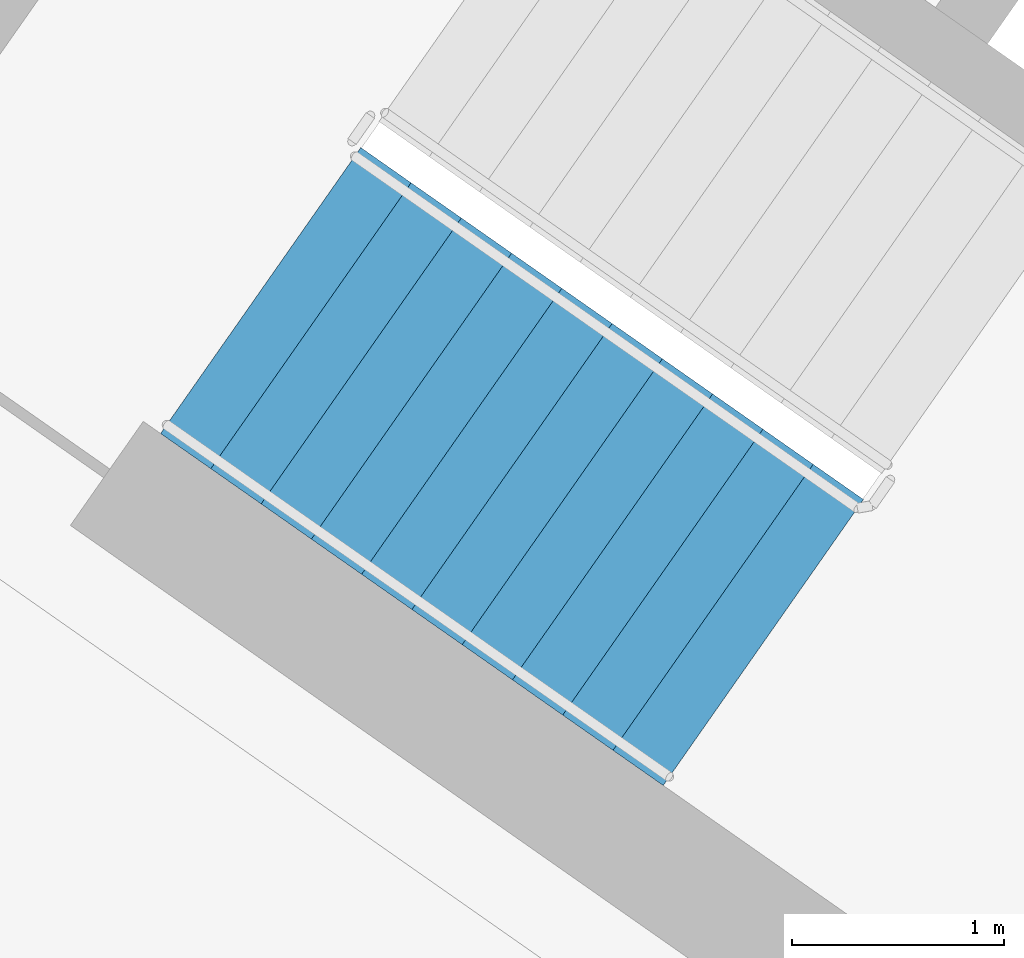
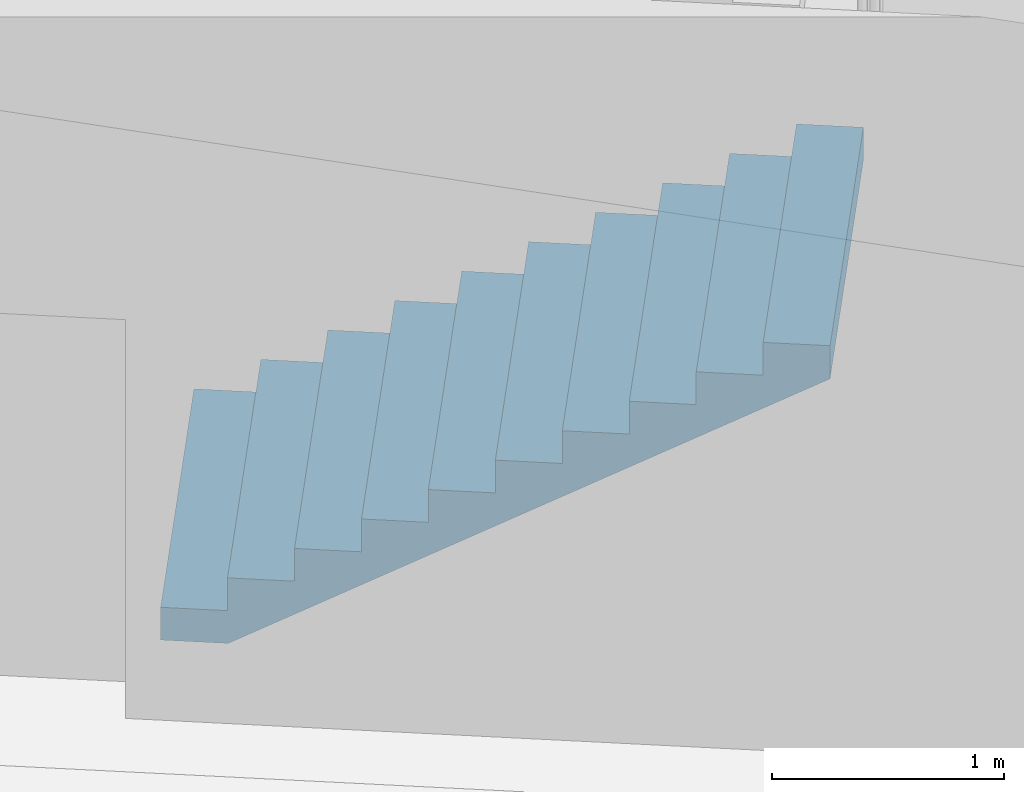
# One storey, part 9 of 27: 1 stair flight, 1 element without a shape of its own.
"""IFC4 building model written with IfcOpenShell, lengths in metres."""

from ifc_helpers import new_model, si_unit, direction, frame, origin, place, context, subcontext, project, spatial, faceted_brep, material, type_object, element, aggregate, save


model = new_model("IFC4")

# Units and contexts
model_context = context("Model", 3, precision=1e-05, world=origin(), true_north=direction((0.0, 1.0)))
body_context = subcontext(model_context, "Body", "Model", "MODEL_VIEW")
ifc_project = project(units=[si_unit("LENGTHUNIT", "METRE"), si_unit("AREAUNIT", "SQUARE_METRE"), si_unit("VOLUMEUNIT", "CUBIC_METRE"), si_unit("PLANEANGLEUNIT", "RADIAN"), si_unit("MASSUNIT", "GRAM", prefix="KILO")], contexts=[model_context])

# Site, building, storey
site_placement = place(None, origin())
site = spatial("IfcSite", under=ifc_project, at=site_placement, CompositionType="ELEMENT")
building_placement = place(site_placement, origin())
building = spatial("IfcBuilding", under=site, at=building_placement, Name="Qamariyya Broadcast Tower", CompositionType="ELEMENT")
storey_placement = place(building_placement, frame((0.0, 0.0, 164.5)))
storey = spatial("IfcBuildingStorey", under=building, at=storey_placement, Name="L38", CompositionType="ELEMENT", Elevation=164.5)

# Stair, stair flight
ifc_material = material(Name="Concrete C50/60", Category="concrete")
stair_type = type_object("IfcStairType", Name="Exit stair 22 risers of 173 mm", PredefinedType="HALF_TURN_STAIR", material=ifc_material)
stair_placement = place(storey_placement, origin())
stair = element("IfcStair", 1, at=stair_placement, inside=storey, type_object=stair_type, Name="L38 Stair W1", PredefinedType="HALF_TURN_STAIR")
stair_flight_type = type_object("IfcStairFlightType", Name="Exit stair flight 11 risers of 173 mm", PredefinedType="STRAIGHT", material=ifc_material)
stair_flight_placement = place(storey_placement, frame((-47.06884765625, -56.982666015625, 0.0), z_axis=(0.0, 0.0, 1.0), x_axis=(0.819152044289, -0.573576436351, 0.0)))
stair_flight = element("IfcStairFlight", 2, at=stair_flight_placement, type_object=stair_flight_type, Name="ST-W1 flight 1", NumberOfRisers=11, NumberOfTreads=10, PredefinedType="STRAIGHT", RiserHeight=0.172727273, TreadLength=0.29, context=body_context, shape_type="Brep", body=[
    faceted_brep([(0.0, 0.824951171875, 0.0), (0.0, 0.824951171875, 0.172607421875), (0.2900390625, 0.824951171875, 0.172607421875), (0.2900390625, 0.824951171875, 0.345458984375), (0.580078125, 0.824951171875, 0.345458984375), (0.580078125, 0.824951171875, 0.51806640625), (0.8701171875, 0.824951171875, 0.51806640625), (0.8701171875, 0.824951171875, 0.69091796875), (1.159912109375, 0.824951171875, 0.69091796875), (1.159912109375, 0.824951171875, 0.863525390625), (1.449951171875, 0.824951171875, 0.863525390625), (1.449951171875, 0.824951171875, 1.036376953125), (1.739990234375, 0.824951171875, 1.036376953125), (1.739990234375, 0.824951171875, 1.208984375), (2.030029296875, 0.824951171875, 1.208984375), (2.030029296875, 0.824951171875, 1.3818359375), (2.320068359375, 0.824951171875, 1.3818359375), (2.320068359375, 0.824951171875, 1.554443359375), (2.610107421875, 0.824951171875, 1.554443359375), (2.610107421875, 0.824951171875, 1.727294921875), (2.89990234375, 0.824951171875, 1.727294921875), (2.89990234375, 0.824951171875, 1.552734375), (0.29296875, 0.824951171875, 0.0), (0.29296875, -0.824951171875, 0.0), (2.89990234375, -0.824951171875, 1.552734375), (2.89990234375, -0.824951171875, 1.727294921875), (2.610107421875, -0.824951171875, 1.727294921875), (2.610107421875, -0.824951171875, 1.554443359375), (2.320068359375, -0.824951171875, 1.554443359375), (2.320068359375, -0.824951171875, 1.3818359375), (2.030029296875, -0.824951171875, 1.3818359375), (2.030029296875, -0.824951171875, 1.208984375), (1.739990234375, -0.824951171875, 1.208984375), (1.739990234375, -0.824951171875, 1.036376953125), (1.449951171875, -0.824951171875, 1.036376953125), (1.449951171875, -0.824951171875, 0.863525390625), (1.159912109375, -0.824951171875, 0.863525390625), (1.159912109375, -0.824951171875, 0.69091796875), (0.8701171875, -0.824951171875, 0.69091796875), (0.8701171875, -0.824951171875, 0.51806640625), (0.580078125, -0.824951171875, 0.51806640625), (0.580078125, -0.824951171875, 0.345458984375), (0.2900390625, -0.824951171875, 0.345458984375), (0.2900390625, -0.824951171875, 0.172607421875), (0.0, -0.824951171875, 0.172607421875), (0.0, -0.824951171875, 0.0), (0.0, 0.10009765625, 0.0), (0.0, 0.086669921875, 0.0), (0.0, 0.0732421875, 0.0), (0.0, 0.06005859375, 0.0), (0.0, 0.046630859375, 0.0), (0.0, 0.033447265625, 0.0), (0.0, 0.02001953125, 0.0), (0.0, 0.006591796875, 0.0), (0.0, -0.006591796875, 0.0), (0.0, -0.02001953125, 0.0), (0.0, -0.033447265625, 0.0), (0.0, -0.046630859375, 0.0), (0.0, -0.06005859375, 0.0), (0.0, -0.0732421875, 0.0), (0.0, -0.086669921875, 0.0), (0.0, -0.10009765625, 0.0), (0.0, -0.10009765625, 0.172607421875), (0.0, -0.086669921875, 0.172607421875), (0.0, -0.0732421875, 0.172607421875), (0.0, -0.06005859375, 0.172607421875), (0.0, -0.046630859375, 0.172607421875), (0.0, -0.033447265625, 0.172607421875), (0.0, -0.02001953125, 0.172607421875), (0.0, -0.006591796875, 0.172607421875), (0.0, 0.006591796875, 0.172607421875), (0.0, 0.02001953125, 0.172607421875), (0.0, 0.033447265625, 0.172607421875), (0.0, 0.046630859375, 0.172607421875), (0.0, 0.06005859375, 0.172607421875), (0.0, 0.0732421875, 0.172607421875), (0.0, 0.086669921875, 0.172607421875), (0.0, 0.10009765625, 0.172607421875), (0.2900390625, -0.10009765625, 0.172607421875), (0.2900390625, -0.086669921875, 0.172607421875), (0.2900390625, -0.0732421875, 0.172607421875), (0.2900390625, -0.06005859375, 0.172607421875), (0.2900390625, -0.046630859375, 0.172607421875), (0.2900390625, -0.033447265625, 0.172607421875), (0.2900390625, -0.02001953125, 0.172607421875), (0.2900390625, -0.006591796875, 0.172607421875), (0.2900390625, 0.006591796875, 0.172607421875), (0.2900390625, 0.02001953125, 0.172607421875), (0.2900390625, 0.033447265625, 0.172607421875), (0.2900390625, 0.046630859375, 0.172607421875), (0.2900390625, 0.06005859375, 0.172607421875), (0.2900390625, 0.0732421875, 0.172607421875), (0.2900390625, 0.086669921875, 0.172607421875), (0.2900390625, 0.10009765625, 0.172607421875), (0.2900390625, -0.10009765625, 0.345458984375), (0.2900390625, -0.086669921875, 0.345458984375), (0.2900390625, -0.0732421875, 0.345458984375), (0.2900390625, -0.06005859375, 0.345458984375), (0.2900390625, -0.046630859375, 0.345458984375), (0.2900390625, -0.033447265625, 0.345458984375), (0.2900390625, -0.02001953125, 0.345458984375), (0.2900390625, -0.006591796875, 0.345458984375), (0.2900390625, 0.006591796875, 0.345458984375), (0.2900390625, 0.02001953125, 0.345458984375), (0.2900390625, 0.033447265625, 0.345458984375), (0.2900390625, 0.046630859375, 0.345458984375), (0.2900390625, 0.06005859375, 0.345458984375), (0.2900390625, 0.0732421875, 0.345458984375), (0.2900390625, 0.086669921875, 0.345458984375), (0.2900390625, 0.10009765625, 0.345458984375), (0.580078125, -0.10009765625, 0.345458984375), (0.580078125, -0.086669921875, 0.345458984375), (0.580078125, -0.0732421875, 0.345458984375), (0.580078125, -0.06005859375, 0.345458984375), (0.580078125, -0.046630859375, 0.345458984375), (0.580078125, -0.033447265625, 0.345458984375), (0.580078125, -0.02001953125, 0.345458984375), (0.580078125, -0.006591796875, 0.345458984375), (0.580078125, 0.006591796875, 0.345458984375), (0.580078125, 0.02001953125, 0.345458984375), (0.580078125, 0.033447265625, 0.345458984375), (0.580078125, 0.046630859375, 0.345458984375), (0.580078125, 0.06005859375, 0.345458984375), (0.580078125, 0.0732421875, 0.345458984375), (0.580078125, 0.086669921875, 0.345458984375), (0.580078125, 0.10009765625, 0.345458984375), (0.580078125, -0.10009765625, 0.51806640625), (0.580078125, -0.086669921875, 0.51806640625), (0.580078125, -0.0732421875, 0.51806640625), (0.580078125, -0.06005859375, 0.51806640625), (0.580078125, -0.046630859375, 0.51806640625), (0.580078125, -0.033447265625, 0.51806640625), (0.580078125, -0.02001953125, 0.51806640625), (0.580078125, -0.006591796875, 0.51806640625), (0.580078125, 0.006591796875, 0.51806640625), (0.580078125, 0.02001953125, 0.51806640625), (0.580078125, 0.033447265625, 0.51806640625), (0.580078125, 0.046630859375, 0.51806640625), (0.580078125, 0.06005859375, 0.51806640625), (0.580078125, 0.0732421875, 0.51806640625), (0.580078125, 0.086669921875, 0.51806640625), (0.580078125, 0.10009765625, 0.51806640625), (0.8701171875, -0.10009765625, 0.51806640625), (0.8701171875, -0.086669921875, 0.51806640625), (0.8701171875, -0.0732421875, 0.51806640625), (0.8701171875, -0.06005859375, 0.51806640625), (0.8701171875, -0.046630859375, 0.51806640625), (0.8701171875, -0.033447265625, 0.51806640625), (0.8701171875, -0.02001953125, 0.51806640625), (0.8701171875, -0.006591796875, 0.51806640625), (0.8701171875, 0.006591796875, 0.51806640625), (0.8701171875, 0.02001953125, 0.51806640625), (0.8701171875, 0.033447265625, 0.51806640625), (0.8701171875, 0.046630859375, 0.51806640625), (0.8701171875, 0.06005859375, 0.51806640625), (0.8701171875, 0.0732421875, 0.51806640625), (0.8701171875, 0.086669921875, 0.51806640625), (0.8701171875, 0.10009765625, 0.51806640625), (0.8701171875, -0.10009765625, 0.69091796875), (0.8701171875, -0.086669921875, 0.69091796875), (0.8701171875, -0.0732421875, 0.69091796875), (0.8701171875, -0.06005859375, 0.69091796875), (0.8701171875, -0.046630859375, 0.69091796875), (0.8701171875, -0.033447265625, 0.69091796875), (0.8701171875, -0.02001953125, 0.69091796875), (0.8701171875, -0.006591796875, 0.69091796875), (0.8701171875, 0.006591796875, 0.69091796875), (0.8701171875, 0.02001953125, 0.69091796875), (0.8701171875, 0.033447265625, 0.69091796875), (0.8701171875, 0.046630859375, 0.69091796875), (0.8701171875, 0.06005859375, 0.69091796875), (0.8701171875, 0.0732421875, 0.69091796875), (0.8701171875, 0.086669921875, 0.69091796875), (0.8701171875, 0.10009765625, 0.69091796875), (1.159912109375, -0.10009765625, 0.69091796875), (1.159912109375, -0.086669921875, 0.69091796875), (1.159912109375, -0.0732421875, 0.69091796875), (1.159912109375, -0.06005859375, 0.69091796875), (1.159912109375, -0.046630859375, 0.69091796875), (1.159912109375, -0.033447265625, 0.69091796875), (1.159912109375, -0.02001953125, 0.69091796875), (1.159912109375, -0.006591796875, 0.69091796875), (1.159912109375, 0.006591796875, 0.69091796875), (1.159912109375, 0.02001953125, 0.69091796875), (1.159912109375, 0.033447265625, 0.69091796875), (1.159912109375, 0.046630859375, 0.69091796875), (1.159912109375, 0.06005859375, 0.69091796875), (1.159912109375, 0.0732421875, 0.69091796875), (1.159912109375, 0.086669921875, 0.69091796875), (1.159912109375, 0.10009765625, 0.69091796875), (1.159912109375, -0.10009765625, 0.863525390625), (1.159912109375, -0.086669921875, 0.863525390625), (1.159912109375, -0.0732421875, 0.863525390625), (1.159912109375, -0.06005859375, 0.863525390625), (1.159912109375, -0.046630859375, 0.863525390625), (1.159912109375, -0.033447265625, 0.863525390625), (1.159912109375, -0.02001953125, 0.863525390625), (1.159912109375, -0.006591796875, 0.863525390625), (1.159912109375, 0.006591796875, 0.863525390625), (1.159912109375, 0.02001953125, 0.863525390625), (1.159912109375, 0.033447265625, 0.863525390625), (1.159912109375, 0.046630859375, 0.863525390625), (1.159912109375, 0.06005859375, 0.863525390625), (1.159912109375, 0.0732421875, 0.863525390625), (1.159912109375, 0.086669921875, 0.863525390625), (1.159912109375, 0.10009765625, 0.863525390625), (1.449951171875, -0.10009765625, 0.863525390625), (1.449951171875, -0.086669921875, 0.863525390625), (1.449951171875, -0.0732421875, 0.863525390625), (1.449951171875, -0.06005859375, 0.863525390625), (1.449951171875, -0.046630859375, 0.863525390625), (1.449951171875, -0.033447265625, 0.863525390625), (1.449951171875, -0.02001953125, 0.863525390625), (1.449951171875, -0.006591796875, 0.863525390625), (1.449951171875, 0.006591796875, 0.863525390625), (1.449951171875, 0.02001953125, 0.863525390625), (1.449951171875, 0.033447265625, 0.863525390625), (1.449951171875, 0.046630859375, 0.863525390625), (1.449951171875, 0.06005859375, 0.863525390625), (1.449951171875, 0.0732421875, 0.863525390625), (1.449951171875, 0.086669921875, 0.863525390625), (1.449951171875, 0.10009765625, 0.863525390625), (1.449951171875, -0.10009765625, 1.036376953125), (1.449951171875, -0.086669921875, 1.036376953125), (1.449951171875, -0.0732421875, 1.036376953125), (1.449951171875, -0.06005859375, 1.036376953125), (1.449951171875, -0.046630859375, 1.036376953125), (1.449951171875, -0.033447265625, 1.036376953125), (1.449951171875, -0.02001953125, 1.036376953125), (1.449951171875, -0.006591796875, 1.036376953125), (1.449951171875, 0.006591796875, 1.036376953125), (1.449951171875, 0.02001953125, 1.036376953125), (1.449951171875, 0.033447265625, 1.036376953125), (1.449951171875, 0.046630859375, 1.036376953125), (1.449951171875, 0.06005859375, 1.036376953125), (1.449951171875, 0.0732421875, 1.036376953125), (1.449951171875, 0.086669921875, 1.036376953125), (1.449951171875, 0.10009765625, 1.036376953125), (1.739990234375, -0.10009765625, 1.036376953125), (1.739990234375, -0.086669921875, 1.036376953125), (1.739990234375, -0.0732421875, 1.036376953125), (1.739990234375, -0.06005859375, 1.036376953125), (1.739990234375, -0.046630859375, 1.036376953125), (1.739990234375, -0.033447265625, 1.036376953125), (1.739990234375, -0.02001953125, 1.036376953125), (1.739990234375, -0.006591796875, 1.036376953125), (1.739990234375, 0.006591796875, 1.036376953125), (1.739990234375, 0.02001953125, 1.036376953125), (1.739990234375, 0.033447265625, 1.036376953125), (1.739990234375, 0.046630859375, 1.036376953125), (1.739990234375, 0.06005859375, 1.036376953125), (1.739990234375, 0.0732421875, 1.036376953125), (1.739990234375, 0.086669921875, 1.036376953125), (1.739990234375, 0.10009765625, 1.036376953125), (1.739990234375, -0.10009765625, 1.208984375), (1.739990234375, -0.086669921875, 1.208984375), (1.739990234375, -0.0732421875, 1.208984375), (1.739990234375, -0.06005859375, 1.208984375), (1.739990234375, -0.046630859375, 1.208984375), (1.739990234375, -0.033447265625, 1.208984375), (1.739990234375, -0.02001953125, 1.208984375), (1.739990234375, -0.006591796875, 1.208984375), (1.739990234375, 0.006591796875, 1.208984375), (1.739990234375, 0.02001953125, 1.208984375), (1.739990234375, 0.033447265625, 1.208984375), (1.739990234375, 0.046630859375, 1.208984375), (1.739990234375, 0.06005859375, 1.208984375), (1.739990234375, 0.0732421875, 1.208984375), (1.739990234375, 0.086669921875, 1.208984375), (1.739990234375, 0.10009765625, 1.208984375), (2.030029296875, -0.10009765625, 1.208984375), (2.030029296875, -0.086669921875, 1.208984375), (2.030029296875, -0.0732421875, 1.208984375), (2.030029296875, -0.06005859375, 1.208984375), (2.030029296875, -0.046630859375, 1.208984375), (2.030029296875, -0.033447265625, 1.208984375), (2.030029296875, -0.02001953125, 1.208984375), (2.030029296875, -0.006591796875, 1.208984375), (2.030029296875, 0.006591796875, 1.208984375), (2.030029296875, 0.02001953125, 1.208984375), (2.030029296875, 0.033447265625, 1.208984375), (2.030029296875, 0.046630859375, 1.208984375), (2.030029296875, 0.06005859375, 1.208984375), (2.030029296875, 0.0732421875, 1.208984375), (2.030029296875, 0.086669921875, 1.208984375), (2.030029296875, 0.10009765625, 1.208984375), (2.030029296875, -0.10009765625, 1.3818359375), (2.030029296875, -0.086669921875, 1.3818359375), (2.030029296875, -0.0732421875, 1.3818359375), (2.030029296875, -0.06005859375, 1.3818359375), (2.030029296875, -0.046630859375, 1.3818359375), (2.030029296875, -0.033447265625, 1.3818359375), (2.030029296875, -0.02001953125, 1.3818359375), (2.030029296875, -0.006591796875, 1.3818359375), (2.030029296875, 0.006591796875, 1.3818359375), (2.030029296875, 0.02001953125, 1.3818359375), (2.030029296875, 0.033447265625, 1.3818359375), (2.030029296875, 0.046630859375, 1.3818359375), (2.030029296875, 0.06005859375, 1.3818359375), (2.030029296875, 0.0732421875, 1.3818359375), (2.030029296875, 0.086669921875, 1.3818359375), (2.030029296875, 0.10009765625, 1.3818359375), (2.320068359375, -0.10009765625, 1.3818359375), (2.320068359375, -0.086669921875, 1.3818359375), (2.320068359375, -0.0732421875, 1.3818359375), (2.320068359375, -0.06005859375, 1.3818359375), (2.320068359375, -0.046630859375, 1.3818359375), (2.320068359375, -0.033447265625, 1.3818359375), (2.320068359375, -0.02001953125, 1.3818359375), (2.320068359375, -0.006591796875, 1.3818359375), (2.320068359375, 0.006591796875, 1.3818359375), (2.320068359375, 0.02001953125, 1.3818359375), (2.320068359375, 0.033447265625, 1.3818359375), (2.320068359375, 0.046630859375, 1.3818359375), (2.320068359375, 0.06005859375, 1.3818359375), (2.320068359375, 0.0732421875, 1.3818359375), (2.320068359375, 0.086669921875, 1.3818359375), (2.320068359375, 0.10009765625, 1.3818359375), (2.320068359375, -0.10009765625, 1.554443359375), (2.320068359375, -0.086669921875, 1.554443359375), (2.320068359375, -0.0732421875, 1.554443359375), (2.320068359375, -0.06005859375, 1.554443359375), (2.320068359375, -0.046630859375, 1.554443359375), (2.320068359375, -0.033447265625, 1.554443359375), (2.320068359375, -0.02001953125, 1.554443359375), (2.320068359375, -0.006591796875, 1.554443359375), (2.320068359375, 0.006591796875, 1.554443359375), (2.320068359375, 0.02001953125, 1.554443359375), (2.320068359375, 0.033447265625, 1.554443359375), (2.320068359375, 0.046630859375, 1.554443359375), (2.320068359375, 0.06005859375, 1.554443359375), (2.320068359375, 0.0732421875, 1.554443359375), (2.320068359375, 0.086669921875, 1.554443359375), (2.320068359375, 0.10009765625, 1.554443359375), (2.610107421875, -0.10009765625, 1.554443359375), (2.610107421875, -0.086669921875, 1.554443359375), (2.610107421875, -0.0732421875, 1.554443359375), (2.610107421875, -0.06005859375, 1.554443359375), (2.610107421875, -0.046630859375, 1.554443359375), (2.610107421875, -0.033447265625, 1.554443359375), (2.610107421875, -0.02001953125, 1.554443359375), (2.610107421875, -0.006591796875, 1.554443359375), (2.610107421875, 0.006591796875, 1.554443359375), (2.610107421875, 0.02001953125, 1.554443359375), (2.610107421875, 0.033447265625, 1.554443359375), (2.610107421875, 0.046630859375, 1.554443359375), (2.610107421875, 0.06005859375, 1.554443359375), (2.610107421875, 0.0732421875, 1.554443359375), (2.610107421875, 0.086669921875, 1.554443359375), (2.610107421875, 0.10009765625, 1.554443359375), (2.610107421875, -0.10009765625, 1.727294921875), (2.610107421875, -0.086669921875, 1.727294921875), (2.610107421875, -0.0732421875, 1.727294921875), (2.610107421875, -0.06005859375, 1.727294921875), (2.610107421875, -0.046630859375, 1.727294921875), (2.610107421875, -0.033447265625, 1.727294921875), (2.610107421875, -0.02001953125, 1.727294921875), (2.610107421875, -0.006591796875, 1.727294921875), (2.610107421875, 0.006591796875, 1.727294921875), (2.610107421875, 0.02001953125, 1.727294921875), (2.610107421875, 0.033447265625, 1.727294921875), (2.610107421875, 0.046630859375, 1.727294921875), (2.610107421875, 0.06005859375, 1.727294921875), (2.610107421875, 0.0732421875, 1.727294921875), (2.610107421875, 0.086669921875, 1.727294921875), (2.610107421875, 0.10009765625, 1.727294921875), (2.89990234375, -0.10009765625, 1.727294921875), (2.89990234375, -0.086669921875, 1.727294921875), (2.89990234375, -0.0732421875, 1.727294921875), (2.89990234375, -0.06005859375, 1.727294921875), (2.89990234375, -0.046630859375, 1.727294921875), (2.89990234375, -0.033447265625, 1.727294921875), (2.89990234375, -0.02001953125, 1.727294921875), (2.89990234375, -0.006591796875, 1.727294921875), (2.89990234375, 0.006591796875, 1.727294921875), (2.89990234375, 0.02001953125, 1.727294921875), (2.89990234375, 0.033447265625, 1.727294921875), (2.89990234375, 0.046630859375, 1.727294921875), (2.89990234375, 0.06005859375, 1.727294921875), (2.89990234375, 0.0732421875, 1.727294921875), (2.89990234375, 0.086669921875, 1.727294921875), (2.89990234375, 0.10009765625, 1.727294921875), (2.89990234375, -0.10009765625, 1.552734375), (2.89990234375, -0.086669921875, 1.552734375), (2.89990234375, -0.0732421875, 1.552734375), (2.89990234375, -0.06005859375, 1.552734375), (2.89990234375, -0.046630859375, 1.552734375), (2.89990234375, -0.033447265625, 1.552734375), (2.89990234375, -0.02001953125, 1.552734375), (2.89990234375, -0.006591796875, 1.552734375), (2.89990234375, 0.006591796875, 1.552734375), (2.89990234375, 0.02001953125, 1.552734375), (2.89990234375, 0.033447265625, 1.552734375), (2.89990234375, 0.046630859375, 1.552734375), (2.89990234375, 0.06005859375, 1.552734375), (2.89990234375, 0.0732421875, 1.552734375), (2.89990234375, 0.086669921875, 1.552734375), (2.89990234375, 0.10009765625, 1.552734375), (0.29296875, -0.10009765625, 0.0), (0.29296875, -0.086669921875, 0.0), (0.29296875, -0.0732421875, 0.0), (0.29296875, -0.06005859375, 0.0), (0.29296875, -0.046630859375, 0.0), (0.29296875, -0.033447265625, 0.0), (0.29296875, -0.02001953125, 0.0), (0.29296875, -0.006591796875, 0.0), (0.29296875, 0.006591796875, 0.0), (0.29296875, 0.02001953125, 0.0), (0.29296875, 0.033447265625, 0.0), (0.29296875, 0.046630859375, 0.0), (0.29296875, 0.06005859375, 0.0), (0.29296875, 0.0732421875, 0.0), (0.29296875, 0.086669921875, 0.0), (0.29296875, 0.10009765625, 0.0)], [[[0, 1, 2, 3, 4, 5, 6, 7, 8, 9, 10, 11, 12, 13, 14, 15, 16, 17, 18, 19, 20, 21, 22]], [[23, 24, 25, 26, 27, 28, 29, 30, 31, 32, 33, 34, 35, 36, 37, 38, 39, 40, 41, 42, 43, 44, 45]], [[0, 46, 47, 48, 49, 50, 51, 52, 53, 54, 55, 56, 57, 58, 59, 60, 61, 45, 44, 62, 63, 64, 65, 66, 67, 68, 69, 70, 71, 72, 73, 74, 75, 76, 77, 1]], [[1, 77, 76, 75, 74, 73, 72, 71, 70, 69, 68, 67, 66, 65, 64, 63, 62, 44, 43, 78, 79, 80, 81, 82, 83, 84, 85, 86, 87, 88, 89, 90, 91, 92, 93, 2]], [[2, 93, 92, 91, 90, 89, 88, 87, 86, 85, 84, 83, 82, 81, 80, 79, 78, 43, 42, 94, 95, 96, 97, 98, 99, 100, 101, 102, 103, 104, 105, 106, 107, 108, 109, 3]], [[3, 109, 108, 107, 106, 105, 104, 103, 102, 101, 100, 99, 98, 97, 96, 95, 94, 42, 41, 110, 111, 112, 113, 114, 115, 116, 117, 118, 119, 120, 121, 122, 123, 124, 125, 4]], [[4, 125, 124, 123, 122, 121, 120, 119, 118, 117, 116, 115, 114, 113, 112, 111, 110, 41, 40, 126, 127, 128, 129, 130, 131, 132, 133, 134, 135, 136, 137, 138, 139, 140, 141, 5]], [[5, 141, 140, 139, 138, 137, 136, 135, 134, 133, 132, 131, 130, 129, 128, 127, 126, 40, 39, 142, 143, 144, 145, 146, 147, 148, 149, 150, 151, 152, 153, 154, 155, 156, 157, 6]], [[6, 157, 156, 155, 154, 153, 152, 151, 150, 149, 148, 147, 146, 145, 144, 143, 142, 39, 38, 158, 159, 160, 161, 162, 163, 164, 165, 166, 167, 168, 169, 170, 171, 172, 173, 7]], [[7, 173, 172, 171, 170, 169, 168, 167, 166, 165, 164, 163, 162, 161, 160, 159, 158, 38, 37, 174, 175, 176, 177, 178, 179, 180, 181, 182, 183, 184, 185, 186, 187, 188, 189, 8]], [[8, 189, 188, 187, 186, 185, 184, 183, 182, 181, 180, 179, 178, 177, 176, 175, 174, 37, 36, 190, 191, 192, 193, 194, 195, 196, 197, 198, 199, 200, 201, 202, 203, 204, 205, 9]], [[9, 205, 204, 203, 202, 201, 200, 199, 198, 197, 196, 195, 194, 193, 192, 191, 190, 36, 35, 206, 207, 208, 209, 210, 211, 212, 213, 214, 215, 216, 217, 218, 219, 220, 221, 10]], [[10, 221, 220, 219, 218, 217, 216, 215, 214, 213, 212, 211, 210, 209, 208, 207, 206, 35, 34, 222, 223, 224, 225, 226, 227, 228, 229, 230, 231, 232, 233, 234, 235, 236, 237, 11]], [[11, 237, 236, 235, 234, 233, 232, 231, 230, 229, 228, 227, 226, 225, 224, 223, 222, 34, 33, 238, 239, 240, 241, 242, 243, 244, 245, 246, 247, 248, 249, 250, 251, 252, 253, 12]], [[12, 253, 252, 251, 250, 249, 248, 247, 246, 245, 244, 243, 242, 241, 240, 239, 238, 33, 32, 254, 255, 256, 257, 258, 259, 260, 261, 262, 263, 264, 265, 266, 267, 268, 269, 13]], [[13, 269, 268, 267, 266, 265, 264, 263, 262, 261, 260, 259, 258, 257, 256, 255, 254, 32, 31, 270, 271, 272, 273, 274, 275, 276, 277, 278, 279, 280, 281, 282, 283, 284, 285, 14]], [[14, 285, 284, 283, 282, 281, 280, 279, 278, 277, 276, 275, 274, 273, 272, 271, 270, 31, 30, 286, 287, 288, 289, 290, 291, 292, 293, 294, 295, 296, 297, 298, 299, 300, 301, 15]], [[15, 301, 300, 299, 298, 297, 296, 295, 294, 293, 292, 291, 290, 289, 288, 287, 286, 30, 29, 302, 303, 304, 305, 306, 307, 308, 309, 310, 311, 312, 313, 314, 315, 316, 317, 16]], [[16, 317, 316, 315, 314, 313, 312, 311, 310, 309, 308, 307, 306, 305, 304, 303, 302, 29, 28, 318, 319, 320, 321, 322, 323, 324, 325, 326, 327, 328, 329, 330, 331, 332, 333, 17]], [[17, 333, 332, 331, 330, 329, 328, 327, 326, 325, 324, 323, 322, 321, 320, 319, 318, 28, 27, 334, 335, 336, 337, 338, 339, 340, 341, 342, 343, 344, 345, 346, 347, 348, 349, 18]], [[18, 349, 348, 347, 346, 345, 344, 343, 342, 341, 340, 339, 338, 337, 336, 335, 334, 27, 26, 350, 351, 352, 353, 354, 355, 356, 357, 358, 359, 360, 361, 362, 363, 364, 365, 19]], [[19, 365, 364, 363, 362, 361, 360, 359, 358, 357, 356, 355, 354, 353, 352, 351, 350, 26, 25, 366, 367, 368, 369, 370, 371, 372, 373, 374, 375, 376, 377, 378, 379, 380, 381, 20]], [[20, 381, 380, 379, 378, 377, 376, 375, 374, 373, 372, 371, 370, 369, 368, 367, 366, 25, 24, 382, 383, 384, 385, 386, 387, 388, 389, 390, 391, 392, 393, 394, 395, 396, 397, 21]], [[21, 397, 396, 395, 394, 393, 392, 391, 390, 389, 388, 387, 386, 385, 384, 383, 382, 24, 23, 398, 399, 400, 401, 402, 403, 404, 405, 406, 407, 408, 409, 410, 411, 412, 413, 22]], [[22, 413, 412, 411, 410, 409, 408, 407, 406, 405, 404, 403, 402, 401, 400, 399, 398, 23, 45, 61, 60, 59, 58, 57, 56, 55, 54, 53, 52, 51, 50, 49, 48, 47, 46, 0]]]),
])
aggregate(stair, [stair_flight])

save(model, "model.ifc")
